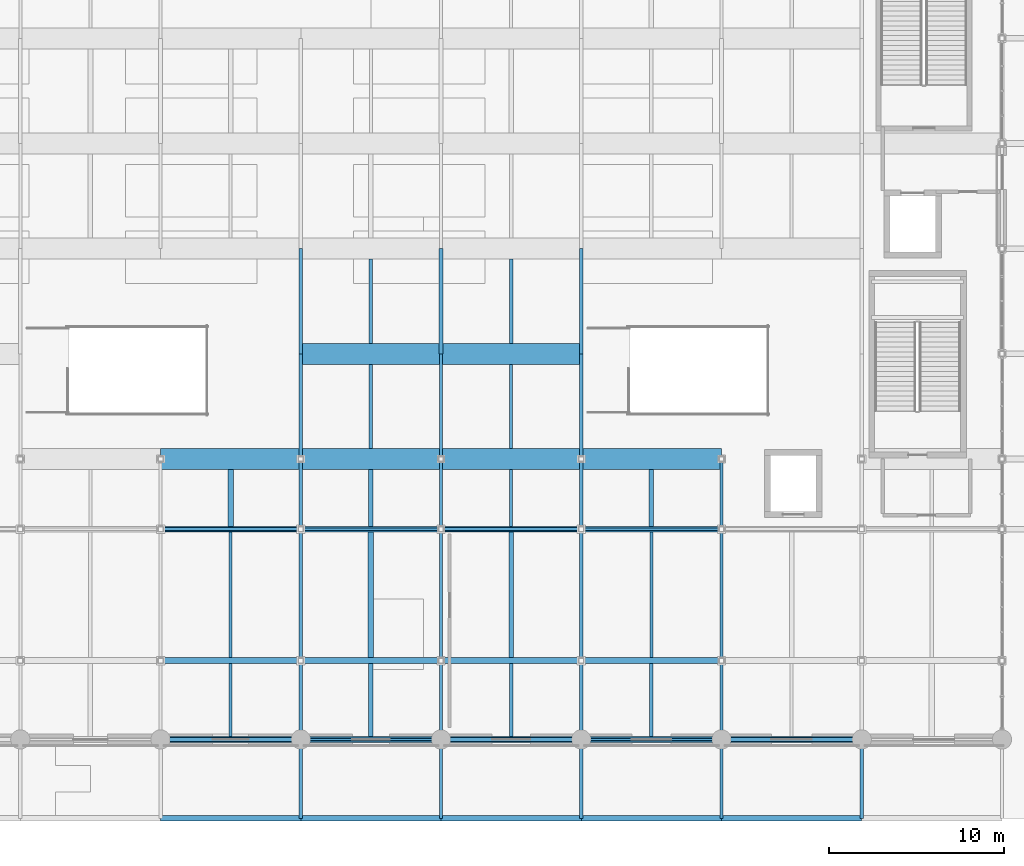
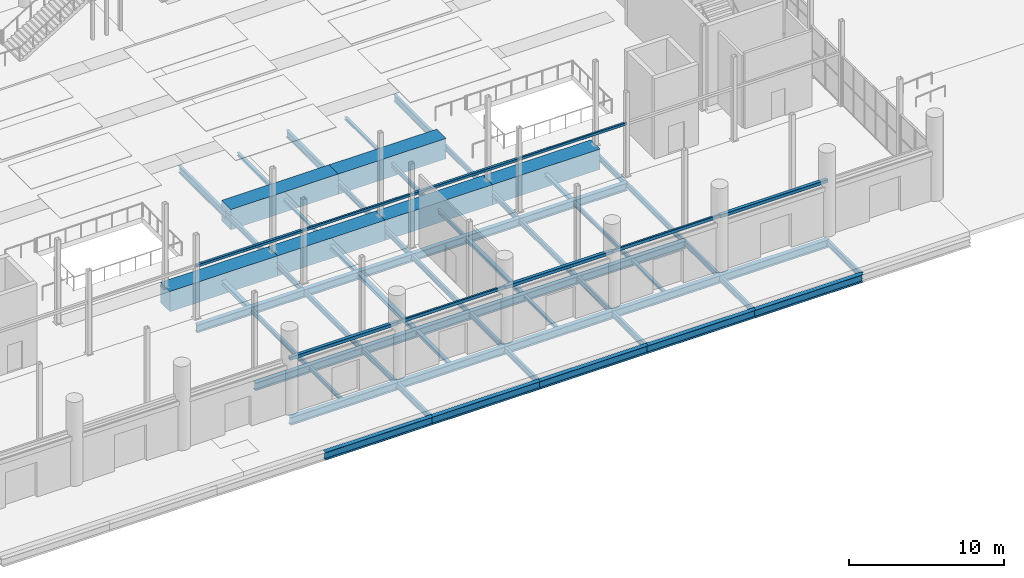
# One storey, part 28 of 140: 72 beams.
"""IFC4 building model written with IfcOpenShell, lengths in metres."""

from ifc_helpers import new_model, si_unit, direction, frame, origin, origin_2d, place, context, subcontext, project, spatial, rectangle, hollow_rectangle, i_section, extrude, material, material_profile, profile_set, type_object, element, save


model = new_model("IFC4")

# Units and contexts
model_context = context("Model", 3, precision=1e-05, world=origin(), true_north=direction((0.0, 1.0)))
body_context = subcontext(model_context, "Body", "Model", "MODEL_VIEW")
ifc_project = project(units=[si_unit("LENGTHUNIT", "METRE"), si_unit("AREAUNIT", "SQUARE_METRE"), si_unit("VOLUMEUNIT", "CUBIC_METRE"), si_unit("PLANEANGLEUNIT", "RADIAN"), si_unit("MASSUNIT", "GRAM", prefix="KILO")], contexts=[model_context])

# Site, building, storey
site_placement = place(None, origin())
site = spatial("IfcSite", under=ifc_project, at=site_placement, CompositionType="ELEMENT")
building_placement = place(site_placement, origin())
building = spatial("IfcBuilding", under=site, at=building_placement, Name="Verrall Gate Interchange", CompositionType="ELEMENT")
storey_placement = place(building_placement, origin())
storey = spatial("IfcBuildingStorey", under=building, at=storey_placement, Name="L01", CompositionType="ELEMENT", Elevation=0.0)

# Beams
ifc_material_1 = material(Name="Structural Steel CSA G40.21 350WT Cat 4", Category="steel")
ifc_material_profile_1 = material_profile(ifc_material_1, i_section(OverallWidth=0.323974609375, OverallDepth=0.611083984375, WebThickness=0.0126953125, FlangeThickness=0.01904296875, FilletRadius=0.014892578125, at=origin_2d()), Name="W610x155")
ifc_profile_set_1 = profile_set([ifc_material_profile_1], Name="Structural Steel CSA G40.21 350WT Cat 4")
beam_type_1 = type_object("IfcBeamType", Name="B-08 Structural Beam W610x155", PredefinedType="BEAM", material=ifc_profile_set_1)
for number, where, z_axis, x_axis, name in (
    (1, (60.0, -4.5, -0.805419921875), (1.0, 0.0, 0.0), (0.0, 1.0, 0.0), "L01 Girder BM-L01-0727 (B-08)"),
    (2, (68.0, -4.5, -0.805419921875), (1.0, 0.0, 0.0), (0.0, 1.0, 0.0), "L01 Girder BM-L01-0728 (B-08)"),
    (3, (76.0, -4.5, -0.805419921875), (1.0, 0.0, 0.0), (0.0, 1.0, 0.0), "L01 Girder BM-L01-0729 (B-08)"),
    (4, (84.0, -4.5, -0.805419921875), (1.0, 0.0, 0.0), (0.0, 1.0, 0.0), "L01 Girder BM-L01-0730 (B-08)"),
    (5, (92.0, -4.5, -0.805419921875), (1.0, 0.0, 0.0), (0.0, 1.0, 0.0), "L01 Girder BM-L01-0731 (B-08)"),
    (6, (60.0, 0.0, -0.805419921875), (1.0, 0.0, 0.0), (0.0, 1.0, 0.0), "L01 Girder BM-L01-0742 (B-08)"),
    (7, (68.0, 0.0, -0.805419921875), (1.0, 0.0, 0.0), (0.0, 1.0, 0.0), "L01 Girder BM-L01-0743 (B-08)"),
    (8, (76.0, 0.0, -0.805419921875), (1.0, 0.0, 0.0), (0.0, 1.0, 0.0), "L01 Girder BM-L01-0744 (B-08)"),
    (9, (84.0, 0.0, -0.805419921875), (1.0, 0.0, 0.0), (0.0, 1.0, 0.0), "L01 Girder BM-L01-0745 (B-08)"),
    (10, (92.0, 0.0, -0.805419921875), (1.0, 0.0, 0.0), (0.0, 1.0, 0.0), "L01 Girder BM-L01-0746 (B-08)"),
    (11, (60.0, 4.5, -0.805419921875), (1.0, 0.0, 0.0), (0.0, 1.0, 0.0), "L01 Girder BM-L01-0758 (B-08)"),
    (12, (68.0, 4.5, -0.805419921875), (1.0, 0.0, 0.0), (0.0, 1.0, 0.0), "L01 Girder BM-L01-0759 (B-08)"),
    (13, (76.0, 4.5, -0.805419921875), (1.0, 0.0, 0.0), (0.0, 1.0, 0.0), "L01 Girder BM-L01-0760 (B-08)"),
    (14, (84.0, 4.5, -0.805419921875), (1.0, 0.0, 0.0), (0.0, 1.0, 0.0), "L01 Girder BM-L01-0761 (B-08)"),
    (15, (60.0, 12.0, -0.805419921875), (1.0, 0.0, 0.0), (0.0, 1.0, 0.0), "L01 Girder BM-L01-0773 (B-08)"),
    (16, (68.0, 12.0, -0.805419921875), (1.0, 0.0, 0.0), (0.0, 1.0, 0.0), "L01 Girder BM-L01-0774 (B-08)"),
    (17, (76.0, 12.0, -0.805419921875), (1.0, 0.0, 0.0), (0.0, 1.0, 0.0), "L01 Girder BM-L01-0775 (B-08)"),
    (18, (84.0, 12.0, -0.805419921875), (1.0, 0.0, 0.0), (0.0, 1.0, 0.0), "L01 Girder BM-L01-0776 (B-08)"),
):
    element("IfcBeam", number, at=place(storey_placement, frame(where, z_axis=z_axis, x_axis=x_axis)), inside=storey, type_object=beam_type_1, Name=name, PredefinedType="BEAM", context=body_context, shape_type="SweptSolid", body=[
        extrude(i_section(OverallWidth=0.323974609375, OverallDepth=0.611083984375, WebThickness=0.0126953125, FlangeThickness=0.01904296875, FilletRadius=0.014892578125, at=origin_2d()), origin(), (0.0, 0.0, 1.0), 8.0),
    ])
ifc_material_2 = material(Name="Structural Steel CSA G40.21 350W", Category="steel")
ifc_material_profile_2 = material_profile(ifc_material_2, i_section(OverallWidth=0.2109375, OverallDepth=0.5390625, WebThickness=0.01171875, FlangeThickness=0.018798828125, FilletRadius=0.013916015625, at=origin_2d()), Name="W530x109")
ifc_profile_set_2 = profile_set([ifc_material_profile_2], Name="Structural Steel CSA G40.21 350W")
beam_type_2 = type_object("IfcBeamType", Name="B-10 Structural Beam W530x109", PredefinedType="BEAM", material=ifc_profile_set_2)
for number, where, z_axis, x_axis, name in (
    (19, (68.0, 22.0, -0.76953125), (0.0, 1.0, 0.0), (-1.0, 0.0, 0.0), "L01 Girder BM-L01-1122 (B-10)"),
    (20, (76.0, 22.0, -0.76953125), (0.0, 1.0, 0.0), (-1.0, 0.0, 0.0), "L01 Girder BM-L01-1131 (B-10)"),
    (21, (84.0, 22.0, -0.76953125), (0.0, 1.0, 0.0), (-1.0, 0.0, 0.0), "L01 Girder BM-L01-1142 (B-10)"),
):
    element("IfcBeam", number, at=place(storey_placement, frame(where, z_axis=z_axis, x_axis=x_axis)), inside=storey, type_object=beam_type_2, Name=name, PredefinedType="BEAM", context=body_context, shape_type="SweptSolid", body=[
        extrude(i_section(OverallWidth=0.2109375, OverallDepth=0.5390625, WebThickness=0.01171875, FlangeThickness=0.018798828125, FilletRadius=0.013916015625, at=origin_2d()), origin(), (0.0, 0.0, 1.0), 6.0),
    ])
ifc_material_3 = material(Name="Structural Steel CSA G40.21 350W", Category="steel")
ifc_material_profile_3 = material_profile(ifc_material_3, i_section(OverallWidth=0.19189453125, OverallDepth=0.462890625, WebThickness=0.010498046875, FlangeThickness=0.017578125, FilletRadius=0.012939453125, at=origin_2d()), Name="W460x89")
ifc_profile_set_3 = profile_set([ifc_material_profile_3], Name="Structural Steel CSA G40.21 350W")
beam_type_3 = type_object("IfcBeamType", Name="B-11 Structural Beam W460x89", PredefinedType="BEAM", material=ifc_profile_set_3)
for number, where, z_axis, x_axis, name in (
    (22, (68.0, -4.5, -0.7314453125), (0.0, 1.0, 0.0), (-1.0, 0.0, 0.0), "L01 Girder BM-L01-1117 (B-11)"),
    (23, (76.0, -4.5, -0.7314453125), (0.0, 1.0, 0.0), (-1.0, 0.0, 0.0), "L01 Girder BM-L01-1126 (B-11)"),
    (24, (84.0, -4.5, -0.7314453125), (0.0, 1.0, 0.0), (-1.0, 0.0, 0.0), "L01 Girder BM-L01-1137 (B-11)"),
    (25, (92.0, -4.5, -0.7314453125), (0.0, 1.0, 0.0), (-1.0, 0.0, 0.0), "L01 Girder BM-L01-1148 (B-11)"),
    (26, (100.0, -4.5, -0.7314453125), (0.0, 1.0, 0.0), (-1.0, 0.0, 0.0), "L01 Girder BM-L01-1157 (B-11)"),
):
    element("IfcBeam", number, at=place(storey_placement, frame(where, z_axis=z_axis, x_axis=x_axis)), inside=storey, type_object=beam_type_3, Name=name, PredefinedType="BEAM", context=body_context, shape_type="SweptSolid", body=[
        extrude(i_section(OverallWidth=0.19189453125, OverallDepth=0.462890625, WebThickness=0.010498046875, FlangeThickness=0.017578125, FilletRadius=0.012939453125, at=origin_2d()), origin(), (0.0, 0.0, 1.0), 4.5),
    ])
ifc_material_4 = material(Name="Structural Steel CSA G40.21 350W", Category="steel")
ifc_material_profile_4 = material_profile(ifc_material_4, i_section(OverallWidth=0.178955078125, OverallDepth=0.409912109375, WebThickness=0.0087890625, FlangeThickness=0.014404296875, FilletRadius=0.011962890625, at=origin_2d()), Name="W410x67")
ifc_profile_set_4 = profile_set([ifc_material_profile_4], Name="Structural Steel CSA G40.21 350W")
beam_type_4 = type_object("IfcBeamType", Name="B-12 Structural Beam W410x67", PredefinedType="BEAM", material=ifc_profile_set_4)
beam_1_placement = place(storey_placement, frame((68.0, 0.0, -0.705078125), z_axis=(0.0, 1.0, 0.0), x_axis=(-1.0, 0.0, 0.0)))
element("IfcBeam", 27, at=beam_1_placement, inside=storey, type_object=beam_type_4, Name="L01 Girder BM-L01-1118 (B-12)", PredefinedType="BEAM", context=body_context, shape_type="SweptSolid", body=[
    extrude(i_section(OverallWidth=0.178955078125, OverallDepth=0.409912109375, WebThickness=0.0087890625, FlangeThickness=0.014404296875, FilletRadius=0.011962890625, at=origin_2d()), origin(), (0.0, 0.0, 1.0), 4.5),
])
beam_2_placement = place(storey_placement, frame((68.0, 4.5, -0.705078125), z_axis=(0.0, 1.0, 0.0), x_axis=(-1.0, 0.0, 0.0)))
element("IfcBeam", 28, at=beam_2_placement, inside=storey, type_object=beam_type_4, Name="L01 Girder BM-L01-1119 (B-12)", PredefinedType="BEAM", context=body_context, shape_type="SweptSolid", body=[
    extrude(i_section(OverallWidth=0.178955078125, OverallDepth=0.409912109375, WebThickness=0.0087890625, FlangeThickness=0.014404296875, FilletRadius=0.011962890625, at=origin_2d()), origin(), (0.0, 0.0, 1.0), 7.5),
])
beam_3_placement = place(storey_placement, frame((68.0, 12.0, -0.705078125), z_axis=(0.0, 1.0, 0.0), x_axis=(-1.0, 0.0, 0.0)))
element("IfcBeam", 29, at=beam_3_placement, inside=storey, type_object=beam_type_4, Name="L01 Girder BM-L01-1120 (B-12)", PredefinedType="BEAM", context=body_context, shape_type="SweptSolid", body=[
    extrude(i_section(OverallWidth=0.178955078125, OverallDepth=0.409912109375, WebThickness=0.0087890625, FlangeThickness=0.014404296875, FilletRadius=0.011962890625, at=origin_2d()), origin(), (0.0, 0.0, 1.0), 4.0),
])
beam_4_placement = place(storey_placement, frame((68.0, 16.0, -0.705078125), z_axis=(0.0, 1.0, 0.0), x_axis=(-1.0, 0.0, 0.0)))
element("IfcBeam", 30, at=beam_4_placement, inside=storey, type_object=beam_type_4, Name="L01 Girder BM-L01-1121 (B-12)", PredefinedType="BEAM", context=body_context, shape_type="SweptSolid", body=[
    extrude(i_section(OverallWidth=0.178955078125, OverallDepth=0.409912109375, WebThickness=0.0087890625, FlangeThickness=0.014404296875, FilletRadius=0.011962890625, at=origin_2d()), origin(), (0.0, 0.0, 1.0), 6.0),
])
beam_5_placement = place(storey_placement, frame((76.0, 0.0, -0.705078125), z_axis=(0.0, 1.0, 0.0), x_axis=(-1.0, 0.0, 0.0)))
element("IfcBeam", 31, at=beam_5_placement, inside=storey, type_object=beam_type_4, Name="L01 Girder BM-L01-1127 (B-12)", PredefinedType="BEAM", context=body_context, shape_type="SweptSolid", body=[
    extrude(i_section(OverallWidth=0.178955078125, OverallDepth=0.409912109375, WebThickness=0.0087890625, FlangeThickness=0.014404296875, FilletRadius=0.011962890625, at=origin_2d()), origin(), (0.0, 0.0, 1.0), 4.5),
])
beam_6_placement = place(storey_placement, frame((76.0, 4.5, -0.705078125), z_axis=(0.0, 1.0, 0.0), x_axis=(-1.0, 0.0, 0.0)))
element("IfcBeam", 32, at=beam_6_placement, inside=storey, type_object=beam_type_4, Name="L01 Girder BM-L01-1128 (B-12)", PredefinedType="BEAM", context=body_context, shape_type="SweptSolid", body=[
    extrude(i_section(OverallWidth=0.178955078125, OverallDepth=0.409912109375, WebThickness=0.0087890625, FlangeThickness=0.014404296875, FilletRadius=0.011962890625, at=origin_2d()), origin(), (0.0, 0.0, 1.0), 7.5),
])
beam_7_placement = place(storey_placement, frame((76.0, 12.0, -0.705078125), z_axis=(0.0, 1.0, 0.0), x_axis=(-1.0, 0.0, 0.0)))
element("IfcBeam", 33, at=beam_7_placement, inside=storey, type_object=beam_type_4, Name="L01 Girder BM-L01-1129 (B-12)", PredefinedType="BEAM", context=body_context, shape_type="SweptSolid", body=[
    extrude(i_section(OverallWidth=0.178955078125, OverallDepth=0.409912109375, WebThickness=0.0087890625, FlangeThickness=0.014404296875, FilletRadius=0.011962890625, at=origin_2d()), origin(), (0.0, 0.0, 1.0), 4.0),
])
beam_8_placement = place(storey_placement, frame((76.0, 16.0, -0.705078125), z_axis=(0.0, 1.0, 0.0), x_axis=(-1.0, 0.0, 0.0)))
element("IfcBeam", 34, at=beam_8_placement, inside=storey, type_object=beam_type_4, Name="L01 Girder BM-L01-1130 (B-12)", PredefinedType="BEAM", context=body_context, shape_type="SweptSolid", body=[
    extrude(i_section(OverallWidth=0.178955078125, OverallDepth=0.409912109375, WebThickness=0.0087890625, FlangeThickness=0.014404296875, FilletRadius=0.011962890625, at=origin_2d()), origin(), (0.0, 0.0, 1.0), 6.0),
])
beam_9_placement = place(storey_placement, frame((84.0, 0.0, -0.705078125), z_axis=(0.0, 1.0, 0.0), x_axis=(-1.0, 0.0, 0.0)))
element("IfcBeam", 35, at=beam_9_placement, inside=storey, type_object=beam_type_4, Name="L01 Girder BM-L01-1138 (B-12)", PredefinedType="BEAM", context=body_context, shape_type="SweptSolid", body=[
    extrude(i_section(OverallWidth=0.178955078125, OverallDepth=0.409912109375, WebThickness=0.0087890625, FlangeThickness=0.014404296875, FilletRadius=0.011962890625, at=origin_2d()), origin(), (0.0, 0.0, 1.0), 4.5),
])
beam_10_placement = place(storey_placement, frame((84.0, 4.5, -0.705078125), z_axis=(0.0, 1.0, 0.0), x_axis=(-1.0, 0.0, 0.0)))
element("IfcBeam", 36, at=beam_10_placement, inside=storey, type_object=beam_type_4, Name="L01 Girder BM-L01-1139 (B-12)", PredefinedType="BEAM", context=body_context, shape_type="SweptSolid", body=[
    extrude(i_section(OverallWidth=0.178955078125, OverallDepth=0.409912109375, WebThickness=0.0087890625, FlangeThickness=0.014404296875, FilletRadius=0.011962890625, at=origin_2d()), origin(), (0.0, 0.0, 1.0), 7.5),
])
beam_11_placement = place(storey_placement, frame((84.0, 12.0, -0.705078125), z_axis=(0.0, 1.0, 0.0), x_axis=(-1.0, 0.0, 0.0)))
element("IfcBeam", 37, at=beam_11_placement, inside=storey, type_object=beam_type_4, Name="L01 Girder BM-L01-1140 (B-12)", PredefinedType="BEAM", context=body_context, shape_type="SweptSolid", body=[
    extrude(i_section(OverallWidth=0.178955078125, OverallDepth=0.409912109375, WebThickness=0.0087890625, FlangeThickness=0.014404296875, FilletRadius=0.011962890625, at=origin_2d()), origin(), (0.0, 0.0, 1.0), 4.0),
])
beam_12_placement = place(storey_placement, frame((84.0, 16.0, -0.705078125), z_axis=(0.0, 1.0, 0.0), x_axis=(-1.0, 0.0, 0.0)))
element("IfcBeam", 38, at=beam_12_placement, inside=storey, type_object=beam_type_4, Name="L01 Girder BM-L01-1141 (B-12)", PredefinedType="BEAM", context=body_context, shape_type="SweptSolid", body=[
    extrude(i_section(OverallWidth=0.178955078125, OverallDepth=0.409912109375, WebThickness=0.0087890625, FlangeThickness=0.014404296875, FilletRadius=0.011962890625, at=origin_2d()), origin(), (0.0, 0.0, 1.0), 6.0),
])
beam_13_placement = place(storey_placement, frame((92.0, 0.0, -0.705078125), z_axis=(0.0, 1.0, 0.0), x_axis=(-1.0, 0.0, 0.0)))
element("IfcBeam", 39, at=beam_13_placement, inside=storey, type_object=beam_type_4, Name="L01 Girder BM-L01-1149 (B-12)", PredefinedType="BEAM", context=body_context, shape_type="SweptSolid", body=[
    extrude(i_section(OverallWidth=0.178955078125, OverallDepth=0.409912109375, WebThickness=0.0087890625, FlangeThickness=0.014404296875, FilletRadius=0.011962890625, at=origin_2d()), origin(), (0.0, 0.0, 1.0), 4.5),
])
beam_14_placement = place(storey_placement, frame((92.0, 4.5, -0.705078125), z_axis=(0.0, 1.0, 0.0), x_axis=(-1.0, 0.0, 0.0)))
element("IfcBeam", 40, at=beam_14_placement, inside=storey, type_object=beam_type_4, Name="L01 Girder BM-L01-1150 (B-12)", PredefinedType="BEAM", context=body_context, shape_type="SweptSolid", body=[
    extrude(i_section(OverallWidth=0.178955078125, OverallDepth=0.409912109375, WebThickness=0.0087890625, FlangeThickness=0.014404296875, FilletRadius=0.011962890625, at=origin_2d()), origin(), (0.0, 0.0, 1.0), 7.5),
])
beam_15_placement = place(storey_placement, frame((92.0, 12.0, -0.705078125), z_axis=(0.0, 1.0, 0.0), x_axis=(-1.0, 0.0, 0.0)))
element("IfcBeam", 41, at=beam_15_placement, inside=storey, type_object=beam_type_4, Name="L01 Girder BM-L01-1151 (B-12)", PredefinedType="BEAM", context=body_context, shape_type="SweptSolid", body=[
    extrude(i_section(OverallWidth=0.178955078125, OverallDepth=0.409912109375, WebThickness=0.0087890625, FlangeThickness=0.014404296875, FilletRadius=0.011962890625, at=origin_2d()), origin(), (0.0, 0.0, 1.0), 4.0),
])
ifc_material_5 = material(Name="Structural Steel CSA G40.21 350W", Category="steel")
ifc_material_profile_5 = material_profile(ifc_material_5, i_section(OverallWidth=0.172119140625, OverallDepth=0.35791015625, WebThickness=0.0078125, FlangeThickness=0.01318359375, FilletRadius=0.010986328125, at=origin_2d()), Name="W360x57")
ifc_profile_set_5 = profile_set([ifc_material_profile_5], Name="Structural Steel CSA G40.21 350W")
beam_type_5 = type_object("IfcBeamType", Name="J-01 Floor Joist W360x57", PredefinedType="JOIST", material=ifc_profile_set_5)
beam_16_placement = place(storey_placement, frame((64.0, 4.662109375, -0.678955078125), z_axis=(0.0, 1.0, 0.0), x_axis=(-1.0, 0.0, 0.0)))
element("IfcBeam", 42, at=beam_16_placement, inside=storey, type_object=beam_type_5, Name="L01 Secondary Floor Joist JST-L01-1273", PredefinedType="JOIST", context=body_context, shape_type="SweptSolid", body=[
    extrude(i_section(OverallWidth=0.172119140625, OverallDepth=0.35791015625, WebThickness=0.0078125, FlangeThickness=0.01318359375, FilletRadius=0.010986328125, at=origin_2d()), origin(), (0.0, 0.0, 1.0), 7.17578125),
])
beam_17_placement = place(storey_placement, frame((80.0, 16.60009765625, -0.678955078125), z_axis=(0.0, 1.0, 0.0), x_axis=(-1.0, 0.0, 0.0)))
element("IfcBeam", 43, at=beam_17_placement, inside=storey, type_object=beam_type_5, Name="L01 Secondary Floor Joist JST-L01-1303", PredefinedType="JOIST", context=body_context, shape_type="SweptSolid", body=[
    extrude(i_section(OverallWidth=0.172119140625, OverallDepth=0.35791015625, WebThickness=0.0078125, FlangeThickness=0.01318359375, FilletRadius=0.010986328125, at=origin_2d()), origin(), (0.0, 0.0, 1.0), 4.7998046875),
])
ifc_material_6 = material(Name="Structural Steel CSA G40.21 350W", Category="steel")
ifc_material_profile_6 = material_profile(ifc_material_6, i_section(OverallWidth=0.306884765625, OverallDepth=0.31396484375, WebThickness=0.011962890625, FlangeThickness=0.018798828125, FilletRadius=0.013916015625, at=origin_2d()), Name="W310x118")
ifc_profile_set_6 = profile_set([ifc_material_profile_6], Name="Structural Steel CSA G40.21 350W")
beam_type_6 = type_object("IfcBeamType", Name="J-02 Floor Joist W310x118", PredefinedType="JOIST", material=ifc_profile_set_6)
beam_18_placement = place(storey_placement, frame((72.0, 4.662109375, -0.656982421875), z_axis=(0.0, 1.0, 0.0), x_axis=(-1.0, 0.0, 0.0)))
element("IfcBeam", 44, at=beam_18_placement, inside=storey, type_object=beam_type_6, Name="L01 Secondary Floor Joist JST-L01-1274", PredefinedType="JOIST", context=body_context, shape_type="SweptSolid", body=[
    extrude(i_section(OverallWidth=0.306884765625, OverallDepth=0.31396484375, WebThickness=0.011962890625, FlangeThickness=0.018798828125, FilletRadius=0.013916015625, at=origin_2d()), origin(), (0.0, 0.0, 1.0), 7.17578125),
])
beam_19_placement = place(storey_placement, frame((64.0, 12.162109375, -0.656982421875), z_axis=(0.0, 1.0, 0.0), x_axis=(-1.0, 0.0, 0.0)))
element("IfcBeam", 45, at=beam_19_placement, inside=storey, type_object=beam_type_6, Name="L01 Secondary Floor Joist JST-L01-1285", PredefinedType="JOIST", context=body_context, shape_type="SweptSolid", body=[
    extrude(i_section(OverallWidth=0.306884765625, OverallDepth=0.31396484375, WebThickness=0.011962890625, FlangeThickness=0.018798828125, FilletRadius=0.013916015625, at=origin_2d()), origin(), (0.0, 0.0, 1.0), 3.23779296875),
])
ifc_material_7 = material(Name="Structural Steel CSA G40.21 350W", Category="steel")
ifc_material_profile_7 = material_profile(ifc_material_7, i_section(OverallWidth=0.25390625, OverallDepth=0.305908203125, WebThickness=0.0087890625, FlangeThickness=0.0146484375, FilletRadius=0.012939453125, at=origin_2d()), Name="W310x79")
ifc_profile_set_7 = profile_set([ifc_material_profile_7], Name="Structural Steel CSA G40.21 350W")
beam_type_7 = type_object("IfcBeamType", Name="J-03 Floor Joist W310x79", PredefinedType="JOIST", material=ifc_profile_set_7)
beam_20_placement = place(storey_placement, frame((80.0, 4.662109375, -0.653076171875), z_axis=(0.0, 1.0, 0.0), x_axis=(-1.0, 0.0, 0.0)))
element("IfcBeam", 46, at=beam_20_placement, inside=storey, type_object=beam_type_7, Name="L01 Secondary Floor Joist JST-L01-1275", PredefinedType="JOIST", context=body_context, shape_type="SweptSolid", body=[
    extrude(i_section(OverallWidth=0.25390625, OverallDepth=0.305908203125, WebThickness=0.0087890625, FlangeThickness=0.0146484375, FilletRadius=0.012939453125, at=origin_2d()), origin(), (0.0, 0.0, 1.0), 7.17578125),
])
beam_21_placement = place(storey_placement, frame((72.0, 12.162109375, -0.653076171875), z_axis=(0.0, 1.0, 0.0), x_axis=(-1.0, 0.0, 0.0)))
element("IfcBeam", 47, at=beam_21_placement, inside=storey, type_object=beam_type_7, Name="L01 Secondary Floor Joist JST-L01-1286", PredefinedType="JOIST", context=body_context, shape_type="SweptSolid", body=[
    extrude(i_section(OverallWidth=0.25390625, OverallDepth=0.305908203125, WebThickness=0.0087890625, FlangeThickness=0.0146484375, FilletRadius=0.012939453125, at=origin_2d()), origin(), (0.0, 0.0, 1.0), 3.23779296875),
])
ifc_material_8 = material(Name="Structural Steel CSA G40.21 350W", Category="steel")
ifc_material_profile_8 = material_profile(ifc_material_8, i_section(OverallWidth=0.1650390625, OverallDepth=0.31005859375, WebThickness=0.005859375, FlangeThickness=0.009765625, FilletRadius=0.010009765625, at=origin_2d()), Name="W310x39")
ifc_profile_set_8 = profile_set([ifc_material_profile_8], Name="Structural Steel CSA G40.21 350W")
beam_type_8 = type_object("IfcBeamType", Name="J-04 Floor Joist W310x39", PredefinedType="JOIST", material=ifc_profile_set_8)
beam_22_placement = place(storey_placement, frame((64.0, 0.162109375, -0.655029296875), z_axis=(0.0, 1.0, 0.0), x_axis=(-1.0, 0.0, 0.0)))
element("IfcBeam", 48, at=beam_22_placement, inside=storey, type_object=beam_type_8, Name="L01 Secondary Floor Joist JST-L01-1259", PredefinedType="JOIST", context=body_context, shape_type="SweptSolid", body=[
    extrude(i_section(OverallWidth=0.1650390625, OverallDepth=0.31005859375, WebThickness=0.005859375, FlangeThickness=0.009765625, FilletRadius=0.010009765625, at=origin_2d()), origin(), (0.0, 0.0, 1.0), 4.17578125),
])
beam_23_placement = place(storey_placement, frame((88.0, 4.662109375, -0.655029296875), z_axis=(0.0, 1.0, 0.0), x_axis=(-1.0, 0.0, 0.0)))
element("IfcBeam", 49, at=beam_23_placement, inside=storey, type_object=beam_type_8, Name="L01 Secondary Floor Joist JST-L01-1276", PredefinedType="JOIST", context=body_context, shape_type="SweptSolid", body=[
    extrude(i_section(OverallWidth=0.1650390625, OverallDepth=0.31005859375, WebThickness=0.005859375, FlangeThickness=0.009765625, FilletRadius=0.010009765625, at=origin_2d()), origin(), (0.0, 0.0, 1.0), 7.17578125),
])
beam_24_placement = place(storey_placement, frame((80.0, 12.162109375, -0.655029296875), z_axis=(0.0, 1.0, 0.0), x_axis=(-1.0, 0.0, 0.0)))
element("IfcBeam", 50, at=beam_24_placement, inside=storey, type_object=beam_type_8, Name="L01 Secondary Floor Joist JST-L01-1287", PredefinedType="JOIST", context=body_context, shape_type="SweptSolid", body=[
    extrude(i_section(OverallWidth=0.1650390625, OverallDepth=0.31005859375, WebThickness=0.005859375, FlangeThickness=0.009765625, FilletRadius=0.010009765625, at=origin_2d()), origin(), (0.0, 0.0, 1.0), 3.23779296875),
])
ifc_material_9 = material(Name="Structural Steel CSA G40.21 350W", Category="steel")
ifc_material_profile_9 = material_profile(ifc_material_9, i_section(OverallWidth=0.25390625, OverallDepth=0.2529296875, WebThickness=0.008544921875, FlangeThickness=0.01416015625, FilletRadius=0.011962890625, at=origin_2d()), Name="W250x73")
ifc_profile_set_9 = profile_set([ifc_material_profile_9], Name="Structural Steel CSA G40.21 350W")
beam_type_9 = type_object("IfcBeamType", Name="J-05 Floor Joist W250x73", PredefinedType="JOIST", material=ifc_profile_set_9)
beam_25_placement = place(storey_placement, frame((72.0, 0.162109375, -0.62646484375), z_axis=(0.0, 1.0, 0.0), x_axis=(-1.0, 0.0, 0.0)))
element("IfcBeam", 51, at=beam_25_placement, inside=storey, type_object=beam_type_9, Name="L01 Secondary Floor Joist JST-L01-1260", PredefinedType="JOIST", context=body_context, shape_type="SweptSolid", body=[
    extrude(i_section(OverallWidth=0.25390625, OverallDepth=0.2529296875, WebThickness=0.008544921875, FlangeThickness=0.01416015625, FilletRadius=0.011962890625, at=origin_2d()), origin(), (0.0, 0.0, 1.0), 4.17578125),
])
beam_26_placement = place(storey_placement, frame((88.0, 12.162109375, -0.62646484375), z_axis=(0.0, 1.0, 0.0), x_axis=(-1.0, 0.0, 0.0)))
element("IfcBeam", 52, at=beam_26_placement, inside=storey, type_object=beam_type_9, Name="L01 Secondary Floor Joist JST-L01-1288", PredefinedType="JOIST", context=body_context, shape_type="SweptSolid", body=[
    extrude(i_section(OverallWidth=0.25390625, OverallDepth=0.2529296875, WebThickness=0.008544921875, FlangeThickness=0.01416015625, FilletRadius=0.011962890625, at=origin_2d()), origin(), (0.0, 0.0, 1.0), 3.23779296875),
])
ifc_material_10 = material(Name="Structural Steel CSA G40.21 350W", Category="steel")
ifc_material_profile_10 = material_profile(ifc_material_10, i_section(OverallWidth=0.201904296875, OverallDepth=0.2470703125, WebThickness=0.00732421875, FlangeThickness=0.010986328125, FilletRadius=0.010986328125, at=origin_2d()), Name="W250x49")
ifc_profile_set_10 = profile_set([ifc_material_profile_10], Name="Structural Steel CSA G40.21 350W")
beam_type_10 = type_object("IfcBeamType", Name="J-06 Floor Joist W250x49", PredefinedType="JOIST", material=ifc_profile_set_10)
beam_27_placement = place(storey_placement, frame((80.0, 0.162109375, -0.62353515625), z_axis=(0.0, 1.0, 0.0), x_axis=(-1.0, 0.0, 0.0)))
element("IfcBeam", 53, at=beam_27_placement, inside=storey, type_object=beam_type_10, Name="L01 Secondary Floor Joist JST-L01-1261", PredefinedType="JOIST", context=body_context, shape_type="SweptSolid", body=[
    extrude(i_section(OverallWidth=0.201904296875, OverallDepth=0.2470703125, WebThickness=0.00732421875, FlangeThickness=0.010986328125, FilletRadius=0.010986328125, at=origin_2d()), origin(), (0.0, 0.0, 1.0), 4.17578125),
])
beam_28_placement = place(storey_placement, frame((72.0, 22.60009765625, -0.62353515625), z_axis=(0.0, 1.0, 0.0), x_axis=(-1.0, 0.0, 0.0)))
element("IfcBeam", 54, at=beam_28_placement, inside=storey, type_object=beam_type_10, Name="L01 Secondary Floor Joist JST-L01-1316", PredefinedType="JOIST", context=body_context, shape_type="SweptSolid", body=[
    extrude(i_section(OverallWidth=0.201904296875, OverallDepth=0.2470703125, WebThickness=0.00732421875, FlangeThickness=0.010986328125, FilletRadius=0.010986328125, at=origin_2d()), origin(), (0.0, 0.0, 1.0), 4.7998046875),
])
ifc_material_11 = material(Name="Structural Steel CSA G40.21 350W", Category="steel")
ifc_material_profile_11 = material_profile(ifc_material_11, i_section(OverallWidth=0.202880859375, OverallDepth=0.202880859375, WebThickness=0.007080078125, FlangeThickness=0.010986328125, FilletRadius=0.010009765625, at=origin_2d()), Name="W200x46")
ifc_profile_set_11 = profile_set([ifc_material_profile_11], Name="Structural Steel CSA G40.21 350W")
beam_type_11 = type_object("IfcBeamType", Name="J-07 Floor Joist W200x46", PredefinedType="JOIST", material=ifc_profile_set_11)
beam_29_placement = place(storey_placement, frame((88.0, 0.162109375, -0.6015625), z_axis=(0.0, 1.0, 0.0), x_axis=(-1.0, 0.0, 0.0)))
element("IfcBeam", 55, at=beam_29_placement, inside=storey, type_object=beam_type_11, Name="L01 Secondary Floor Joist JST-L01-1262", PredefinedType="JOIST", context=body_context, shape_type="SweptSolid", body=[
    extrude(i_section(OverallWidth=0.202880859375, OverallDepth=0.202880859375, WebThickness=0.007080078125, FlangeThickness=0.010986328125, FilletRadius=0.010009765625, at=origin_2d()), origin(), (0.0, 0.0, 1.0), 4.17578125),
])
for number, where, z_axis, x_axis, name in (
    (56, (72.0, 16.60009765625, -0.6015625), (0.0, 1.0, 0.0), (-1.0, 0.0, 0.0), "L01 Secondary Floor Joist JST-L01-1302"),
    (57, (80.0, 22.60009765625, -0.6015625), (0.0, 1.0, 0.0), (-1.0, 0.0, 0.0), "L01 Secondary Floor Joist JST-L01-1317"),
):
    element("IfcBeam", number, at=place(storey_placement, frame(where, z_axis=z_axis, x_axis=x_axis)), inside=storey, type_object=beam_type_11, Name=name, PredefinedType="JOIST", context=body_context, shape_type="SweptSolid", body=[
        extrude(i_section(OverallWidth=0.202880859375, OverallDepth=0.202880859375, WebThickness=0.007080078125, FlangeThickness=0.010986328125, FilletRadius=0.010009765625, at=origin_2d()), origin(), (0.0, 0.0, 1.0), 4.7998046875),
    ])
ifc_material_12 = material(Name="Structural Steel CSA G40.21 350W", Category="steel")
ifc_material_profile_12 = material_profile(ifc_material_12, hollow_rectangle(XDim=0.152099609375, YDim=0.25390625, WallThickness=0.009521484375, InnerFilletRadius=0.009521484375, OuterFilletRadius=0.01904296875, at=origin_2d()), Name="HSS254x152x9.5")
ifc_profile_set_12 = profile_set([ifc_material_profile_12], Name="Structural Steel CSA G40.21 350W")
beam_type_12 = type_object("IfcBeamType", Name="LN-01 Portal Lintel HSS254x152x9.5", PredefinedType="LINTEL", material=ifc_profile_set_12)
for number, where, z_axis, x_axis, name in (
    (58, (68.0, 0.0, 4.10009765625), (1.0, 0.0, 0.0), (0.0, 1.0, 0.0), "Classical Portal Lintel 009"),
    (59, (84.0, 0.0, 4.10009765625), (1.0, 0.0, 0.0), (0.0, 1.0, 0.0), "Classical Portal Lintel 013"),
):
    element("IfcBeam", number, at=place(storey_placement, frame(where, z_axis=z_axis, x_axis=x_axis)), inside=storey, type_object=beam_type_12, Name=name, PredefinedType="LINTEL", context=body_context, shape_type="SweptSolid", body=[
        extrude(hollow_rectangle(XDim=0.152099609375, YDim=0.25390625, WallThickness=0.009521484375, InnerFilletRadius=0.009521484375, OuterFilletRadius=0.01904296875, at=origin_2d()), origin(), (0.0, 0.0, 1.0), 8.0),
    ])
ifc_material_13 = material(Name="Structural Steel CSA G40.21 350W", Category="steel")
ifc_material_profile_13 = material_profile(ifc_material_13, hollow_rectangle(XDim=0.152099609375, YDim=0.202880859375, WallThickness=0.008056640625, InnerFilletRadius=0.008056640625, OuterFilletRadius=0.015869140625, at=origin_2d()), Name="HSS203x152x8.0")
ifc_profile_set_13 = profile_set([ifc_material_profile_13], Name="Structural Steel CSA G40.21 350W")
beam_type_13 = type_object("IfcBeamType", Name="LN-02 Portal Lintel HSS203x152x8.0", PredefinedType="LINTEL", material=ifc_profile_set_13)
for number, where, z_axis, x_axis, name in (
    (60, (68.0, 12.0, 4.10009765625), (1.0, 0.0, 0.0), (0.0, 1.0, 0.0), "Classical Portal Lintel 010"),
    (61, (84.0, 12.0, 4.10009765625), (1.0, 0.0, 0.0), (0.0, 1.0, 0.0), "Classical Portal Lintel 014"),
):
    element("IfcBeam", number, at=place(storey_placement, frame(where, z_axis=z_axis, x_axis=x_axis)), inside=storey, type_object=beam_type_13, Name=name, PredefinedType="LINTEL", context=body_context, shape_type="SweptSolid", body=[
        extrude(hollow_rectangle(XDim=0.152099609375, YDim=0.202880859375, WallThickness=0.008056640625, InnerFilletRadius=0.008056640625, OuterFilletRadius=0.015869140625, at=origin_2d()), origin(), (0.0, 0.0, 1.0), 8.0),
    ])
ifc_material_14 = material(Name="Structural Steel CSA G40.21 350W", Category="steel")
ifc_material_profile_14 = material_profile(ifc_material_14, hollow_rectangle(XDim=0.25390625, YDim=0.25390625, WallThickness=0.009521484375, InnerFilletRadius=0.009521484375, OuterFilletRadius=0.01904296875, at=origin_2d()), Name="HSS254x254x9.5")
ifc_profile_set_14 = profile_set([ifc_material_profile_14], Name="Structural Steel CSA G40.21 350W")
beam_type_14 = type_object("IfcBeamType", Name="LN-03 Portal Lintel HSS254x254x9.5", PredefinedType="LINTEL", material=ifc_profile_set_14)
for number, where, z_axis, x_axis, name in (
    (62, (60.0, 0.0, 4.10009765625), (1.0, 0.0, 0.0), (0.0, 1.0, 0.0), "Classical Portal Lintel 007"),
    (63, (76.0, 0.0, 4.10009765625), (1.0, 0.0, 0.0), (0.0, 1.0, 0.0), "Classical Portal Lintel 011"),
    (64, (92.0, 0.0, 4.10009765625), (1.0, 0.0, 0.0), (0.0, 1.0, 0.0), "Classical Portal Lintel 015"),
):
    element("IfcBeam", number, at=place(storey_placement, frame(where, z_axis=z_axis, x_axis=x_axis)), inside=storey, type_object=beam_type_14, Name=name, PredefinedType="LINTEL", context=body_context, shape_type="SweptSolid", body=[
        extrude(hollow_rectangle(XDim=0.25390625, YDim=0.25390625, WallThickness=0.009521484375, InnerFilletRadius=0.009521484375, OuterFilletRadius=0.01904296875, at=origin_2d()), origin(), (0.0, 0.0, 1.0), 8.0),
    ])
ifc_material_15 = material(Name="Structural Steel CSA G40.21 350W", Category="steel")
ifc_material_profile_15 = material_profile(ifc_material_15, hollow_rectangle(XDim=0.202880859375, YDim=0.202880859375, WallThickness=0.009521484375, InnerFilletRadius=0.009521484375, OuterFilletRadius=0.01904296875, at=origin_2d()), Name="HSS203x203x9.5")
ifc_profile_set_15 = profile_set([ifc_material_profile_15], Name="Structural Steel CSA G40.21 350W")
beam_type_15 = type_object("IfcBeamType", Name="LN-04 Portal Lintel HSS203x203x9.5", PredefinedType="LINTEL", material=ifc_profile_set_15)
for number, where, z_axis, x_axis, name in (
    (65, (60.0, 12.0, 4.10009765625), (1.0, 0.0, 0.0), (0.0, 1.0, 0.0), "Classical Portal Lintel 008"),
    (66, (76.0, 12.0, 4.10009765625), (1.0, 0.0, 0.0), (0.0, 1.0, 0.0), "Classical Portal Lintel 012"),
):
    element("IfcBeam", number, at=place(storey_placement, frame(where, z_axis=z_axis, x_axis=x_axis)), inside=storey, type_object=beam_type_15, Name=name, PredefinedType="LINTEL", context=body_context, shape_type="SweptSolid", body=[
        extrude(hollow_rectangle(XDim=0.202880859375, YDim=0.202880859375, WallThickness=0.009521484375, InnerFilletRadius=0.009521484375, OuterFilletRadius=0.01904296875, at=origin_2d()), origin(), (0.0, 0.0, 1.0), 8.0),
    ])
ifc_material_16 = material(Name="Concrete CSA A23.1 40 MPa (Class N)", Category="concrete")
ifc_material_profile_16 = material_profile(ifc_material_16, rectangle(XDim=1.199951171875, YDim=1.60009765625, at=origin_2d()), Name="RC1200x1600")
ifc_profile_set_16 = profile_set([ifc_material_profile_16], Name="Concrete CSA A23.1 40 MPa (Class N)")
beam_type_16 = type_object("IfcBeamType", Name="TG-01 Transfer Girder RC1200x1600", PredefinedType="USERDEFINED", material=ifc_profile_set_16)
for number, where, z_axis, x_axis, name in (
    (67, (60.0, 16.0, -0.800048828125), (1.0, 0.0, 0.0), (0.0, 1.0, 0.0), "L01 Girder BM-L01-0794 (TG-01)"),
    (68, (68.0, 16.0, -0.800048828125), (1.0, 0.0, 0.0), (0.0, 1.0, 0.0), "L01 Girder BM-L01-0795 (TG-01)"),
    (69, (76.0, 16.0, -0.800048828125), (1.0, 0.0, 0.0), (0.0, 1.0, 0.0), "L01 Girder BM-L01-0796 (TG-01)"),
    (70, (84.0, 16.0, -0.800048828125), (1.0, 0.0, 0.0), (0.0, 1.0, 0.0), "L01 Girder BM-L01-0797 (TG-01)"),
    (71, (68.0, 22.0, -0.800048828125), (1.0, 0.0, 0.0), (0.0, 1.0, 0.0), "L01 Girder BM-L01-0815 (TG-01)"),
    (72, (76.0, 22.0, -0.800048828125), (1.0, 0.0, 0.0), (0.0, 1.0, 0.0), "L01 Girder BM-L01-0816 (TG-01)"),
):
    element("IfcBeam", number, at=place(storey_placement, frame(where, z_axis=z_axis, x_axis=x_axis)), inside=storey, type_object=beam_type_16, Name=name, ObjectType="TRANSFER_GIRDER", PredefinedType="USERDEFINED", context=body_context, shape_type="SweptSolid", body=[
        extrude(rectangle(XDim=1.199951171875, YDim=1.60009765625, at=origin_2d()), origin(), (0.0, 0.0, 1.0), 8.0),
    ])

save(model, "model.ifc")
